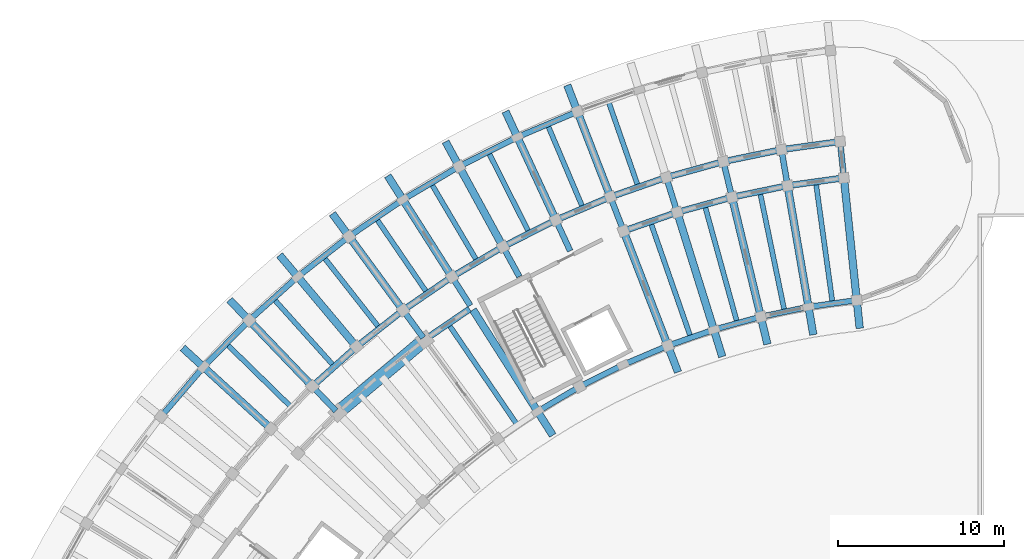
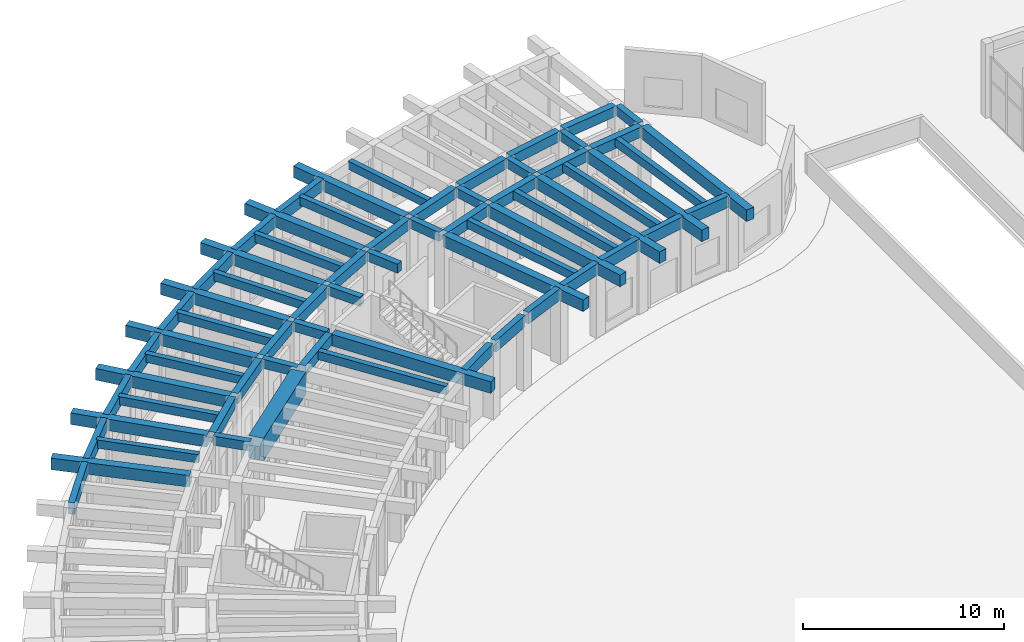
# One storey, part 40 of 132: 68 beams.
"""IFC4 building model written with IfcOpenShell, lengths in metres."""

from ifc_helpers import new_model, si_unit, direction, frame, origin, origin_2d, place, context, subcontext, project, spatial, rectangle, extrude, material, material_profile, profile_set, type_object, element, save


model = new_model("IFC4")

# Units and contexts
model_context = context("Model", 3, precision=1e-05, world=origin(), true_north=direction((0.0, 1.0)))
body_context = subcontext(model_context, "Body", "Model", "MODEL_VIEW")
ifc_project = project(units=[si_unit("LENGTHUNIT", "METRE"), si_unit("AREAUNIT", "SQUARE_METRE"), si_unit("VOLUMEUNIT", "CUBIC_METRE"), si_unit("PLANEANGLEUNIT", "RADIAN"), si_unit("MASSUNIT", "GRAM", prefix="KILO")], contexts=[model_context])

# Site, building, storey
site_placement = place(None, origin())
site = spatial("IfcSite", under=ifc_project, at=site_placement, CompositionType="ELEMENT")
building_placement = place(site_placement, origin())
building = spatial("IfcBuilding", under=site, at=building_placement, Name="Tanwirah Colonnade Gardens", CompositionType="ELEMENT")
storey_placement = place(building_placement, origin())
storey = spatial("IfcBuildingStorey", under=building, at=storey_placement, Name="L00", CompositionType="ELEMENT", Elevation=0.0)

# Beams
ifc_material_1 = material(Name="Precast concrete C40/50", Category="concrete")
ifc_material_profile_1 = material_profile(ifc_material_1, rectangle(XDim=0.35009765625, YDim=0.550048828125, at=origin_2d()), Name="PC-BM 350x550")
ifc_profile_set_1 = profile_set([ifc_material_profile_1], Name="Precast concrete C40/50")
beam_type_1 = type_object("IfcBeamType", Name="BM-PC350A", PredefinedType="BEAM", material=ifc_profile_set_1)
for number, where, z_axis, x_axis, name in (
    (1, (59.564453125, 111.9150390625, 4.2099609375), (-0.104464057197, 0.994528662611, 0.0), (-0.994528662611, -0.104464057197, 0.0), "Block A L00 Corridor Tie Beam 0"),
    (2, (56.1689453125, 111.444580078125, 4.2099609375), (-0.169855285462, 0.985469016256, 0.0), (-0.985469016256, -0.169855285462, 0.0), "Block A L00 Corridor Tie Beam 1"),
    (3, (52.811767578125, 110.75146484375, 4.2099609375), (-0.234364199778, 0.972148868159, 0.0), (-0.972148868159, -0.234364199778, 0.0), "Block A L00 Corridor Tie Beam 2"),
):
    element("IfcBeam", number, at=place(storey_placement, frame(where, z_axis=z_axis, x_axis=x_axis)), inside=storey, type_object=beam_type_1, Name=name, PredefinedType="BEAM", context=body_context, shape_type="SweptSolid", body=[
        extrude(rectangle(XDim=0.35009765625, YDim=0.550048828125, at=origin_2d()), origin(), (0.0, 0.0, 1.0), 1.900146484375),
    ])
for number, where, z_axis, x_axis, name in (
    (4, (49.507568359375, 109.838623046875, 4.2099609375), (-0.297857918398, 0.954610213882, 0.0), (-0.954610213882, -0.297857918398, 0.0), "Block A L00 Corridor Tie Beam 3"),
    (5, (46.270751953125, 108.7099609375, 4.2099609375), (-0.360175656082, 0.932884503444, 0.0), (-0.932884503444, -0.360175656082, 0.0), "Block A L00 Corridor Tie Beam 4"),
    (6, (43.115234375, 107.37060546875, 4.2099609375), (-0.420858322681, 0.90712638162, 0.0), (-0.90712638162, -0.420858322681, 0.0), "Block A L00 Corridor Tie Beam 5"),
    (7, (40.054931640625, 105.826171875, 4.2099609375), (-0.479707235792, 0.877428611301, 0.0), (-0.877428611301, -0.479707235792, 0.0), "Block A L00 Corridor Tie Beam 6"),
    (8, (37.10302734375, 104.08349609375, 4.2099609375), (-0.536509579595, 0.843894229749, 0.0), (-0.843894229749, -0.536509579595, 0.0), "Block A L00 Corridor Tie Beam 7"),
):
    element("IfcBeam", number, at=place(storey_placement, frame(where, z_axis=z_axis, x_axis=x_axis)), inside=storey, type_object=beam_type_1, Name=name, PredefinedType="BEAM", context=body_context, shape_type="SweptSolid", body=[
        extrude(rectangle(XDim=0.35009765625, YDim=0.550048828125, at=origin_2d()), origin(), (0.0, 0.0, 1.0), 1.89990234375),
    ])
for number, where, z_axis, x_axis, name in (
    (9, (34.272216796875, 102.14990234375, 4.2099609375), (-0.590895676149, 0.806747977939, 0.0), (-0.806747977939, -0.590895676149, 0.0), "Block A L00 Corridor Tie Beam 8"),
    (10, (29.023193359375, 97.74560546875, 4.2099609375), (-0.691913735329, 0.721980181766, 0.0), (-0.721980181766, -0.691913735329, 0.0), "Block A L00 Corridor Tie Beam 10"),
):
    element("IfcBeam", number, at=place(storey_placement, frame(where, z_axis=z_axis, x_axis=x_axis)), inside=storey, type_object=beam_type_1, Name=name, PredefinedType="BEAM", context=body_context, shape_type="SweptSolid", body=[
        extrude(rectangle(XDim=0.35009765625, YDim=0.550048828125, at=origin_2d()), origin(), (0.0, 0.0, 1.0), 1.900146484375),
    ])
ifc_material_profile_2 = material_profile(ifc_material_1, rectangle(XDim=0.3798828125, YDim=0.6201171875, at=origin_2d()), Name="PC-BM 380x620")
ifc_profile_set_2 = profile_set([ifc_material_profile_2], Name="Precast concrete C40/50")
beam_type_2 = type_object("IfcBeamType", Name="BM-PC380", PredefinedType="BEAM", material=ifc_profile_set_2)
beam_1_placement = place(storey_placement, frame((59.431640625, 111.745361328125, 4.175048828125), z_axis=(-0.990535787723, -0.137254702069, 0.0), x_axis=(0.137254702069, -0.990535787723, 0.0)))
element("IfcBeam", 11, at=beam_1_placement, inside=storey, type_object=beam_type_2, Name="Block A L00 Circumferential Beam 0-R1", PredefinedType="BEAM", context=body_context, shape_type="SweptSolid", body=[
    extrude(rectangle(XDim=0.3798828125, YDim=0.6201171875, at=origin_2d()), origin(), (0.0, 0.0, 1.0), 3.1181640625),
])
beam_2_placement = place(storey_placement, frame((59.20166015625, 113.933349609375, 4.175048828125), z_axis=(-0.990530465749, -0.13729310406, 0.0), x_axis=(0.13729310406, -0.990530465749, 0.0)))
element("IfcBeam", 12, at=beam_2_placement, inside=storey, type_object=beam_type_2, Name="Block A L00 Circumferential Beam 0-R2", PredefinedType="BEAM", context=body_context, shape_type="SweptSolid", body=[
    extrude(rectangle(XDim=0.3798828125, YDim=0.6201171875, at=origin_2d()), origin(), (0.0, 0.0, 1.0), 3.26318359375),
])
beam_3_placement = place(storey_placement, frame((56.047607421875, 111.2666015625, 4.175048828125), z_axis=(-0.979335880607, -0.202240532428, 0.0), x_axis=(0.202240532428, -0.979335880607, 0.0)))
element("IfcBeam", 13, at=beam_3_placement, inside=storey, type_object=beam_type_2, Name="Block A L00 Circumferential Beam 1-R1", PredefinedType="BEAM", context=body_context, shape_type="SweptSolid", body=[
    extrude(rectangle(XDim=0.3798828125, YDim=0.6201171875, at=origin_2d()), origin(), (0.0, 0.0, 1.0), 3.1181640625),
])
beam_4_placement = place(storey_placement, frame((55.673828125, 113.4345703125, 4.175048828125), z_axis=(-0.979335599813, -0.202241892146, 0.0), x_axis=(0.202241892146, -0.979335599813, 0.0)))
element("IfcBeam", 14, at=beam_4_placement, inside=storey, type_object=beam_type_2, Name="Block A L00 Circumferential Beam 1-R2", PredefinedType="BEAM", context=body_context, shape_type="SweptSolid", body=[
    extrude(rectangle(XDim=0.3798828125, YDim=0.6201171875, at=origin_2d()), origin(), (0.0, 0.0, 1.0), 3.262939453125),
])
beam_5_placement = place(storey_placement, frame((52.702392578125, 110.565673828125, 4.175048828125), z_axis=(-0.963894965188, -0.266282737114, 0.0), x_axis=(0.266282737114, -0.963894965188, 0.0)))
element("IfcBeam", 15, at=beam_5_placement, inside=storey, type_object=beam_type_2, Name="Block A L00 Circumferential Beam 2-R1", PredefinedType="BEAM", context=body_context, shape_type="SweptSolid", body=[
    extrude(rectangle(XDim=0.3798828125, YDim=0.6201171875, at=origin_2d()), origin(), (0.0, 0.0, 1.0), 3.1181640625),
])
beam_6_placement = place(storey_placement, frame((52.186767578125, 112.704345703125, 4.175048828125), z_axis=(-0.9638953302, -0.266281415833, 0.0), x_axis=(0.266281415833, -0.9638953302, 0.0)))
element("IfcBeam", 16, at=beam_6_placement, inside=storey, type_object=beam_type_2, Name="Block A L00 Circumferential Beam 2-R2", PredefinedType="BEAM", context=body_context, shape_type="SweptSolid", body=[
    extrude(rectangle(XDim=0.3798828125, YDim=0.6201171875, at=origin_2d()), origin(), (0.0, 0.0, 1.0), 3.26318359375),
])
beam_7_placement = place(storey_placement, frame((49.41064453125, 109.64599609375, 4.175048828125), z_axis=(-0.944248304077, -0.329234172358, 0.0), x_axis=(0.329234172358, -0.944248304077, 0.0)))
element("IfcBeam", 17, at=beam_7_placement, inside=storey, type_object=beam_type_2, Name="Block A L00 Circumferential Beam 3-R1", PredefinedType="BEAM", context=body_context, shape_type="SweptSolid", body=[
    extrude(rectangle(XDim=0.3798828125, YDim=0.6201171875, at=origin_2d()), origin(), (0.0, 0.0, 1.0), 3.1181640625),
])
for number, where, z_axis, x_axis, name in (
    (18, (48.755126953125, 111.74609375, 4.175048828125), (-0.944231021702, -0.329283734272, 0.0), (0.329283734272, -0.944231021702, 0.0), "Block A L00 Circumferential Beam 3-R2"),
    (19, (45.394287109375, 110.563720703125, 4.175048828125), (-0.920513294115, -0.390711242938, 0.0), (0.390711242938, -0.920513294115, 0.0), "Block A L00 Circumferential Beam 4-R2"),
):
    element("IfcBeam", number, at=place(storey_placement, frame(where, z_axis=z_axis, x_axis=x_axis)), inside=storey, type_object=beam_type_2, Name=name, PredefinedType="BEAM", context=body_context, shape_type="SweptSolid", body=[
        extrude(rectangle(XDim=0.3798828125, YDim=0.6201171875, at=origin_2d()), origin(), (0.0, 0.0, 1.0), 3.262939453125),
    ])
for number, where, z_axis, x_axis, name in (
    (20, (42.11865234375, 109.16259765625, 4.175048828125), (-0.89276014323, -0.450532270387, 0.0), (0.450532270387, -0.89276014323, 0.0), "Block A L00 Circumferential Beam 5-R2"),
    (21, (38.9423828125, 107.548583984375, 4.175048828125), (-0.861134978964, -0.508376384193, 0.0), (0.508376384193, -0.861134978964, 0.0), "Block A L00 Circumferential Beam 6-R2"),
):
    element("IfcBeam", number, at=place(storey_placement, frame(where, z_axis=z_axis, x_axis=x_axis)), inside=storey, type_object=beam_type_2, Name=name, PredefinedType="BEAM", context=body_context, shape_type="SweptSolid", body=[
        extrude(rectangle(XDim=0.3798828125, YDim=0.6201171875, at=origin_2d()), origin(), (0.0, 0.0, 1.0), 3.26318359375),
    ])
beam_8_placement = place(storey_placement, frame((37.0595703125, 103.872314453125, 4.175048828125), z_axis=(-0.825758291455, -0.564024152047, 0.0), x_axis=(0.564024152047, -0.825758291455, 0.0)))
element("IfcBeam", 22, at=beam_8_placement, inside=storey, type_object=beam_type_2, Name="Block A L00 Circumferential Beam 7-R1", PredefinedType="BEAM", context=body_context, shape_type="SweptSolid", body=[
    extrude(rectangle(XDim=0.3798828125, YDim=0.6201171875, at=origin_2d()), origin(), (0.0, 0.0, 1.0), 3.118408203125),
])
for number, where, z_axis, x_axis, name in (
    (23, (35.87939453125, 105.728759765625, 4.175048828125), (-0.825782284145, -0.563989024, 0.0), (0.563989024, -0.825782284145, 0.0), "Block A L00 Circumferential Beam 7-R2"),
    (24, (32.94287109375, 103.711181640625, 4.175048828125), (-0.786839882256, -0.617157192044, 0.0), (0.617157192044, -0.786839882256, 0.0), "Block A L00 Circumferential Beam 8-R2"),
    (25, (30.145751953125, 101.504638671875, 4.175048828125), (-0.744409136578, -0.667723773262, 0.0), (0.667723773262, -0.744409136578, 0.0), "Block A L00 Circumferential Beam 9-R2"),
):
    element("IfcBeam", number, at=place(storey_placement, frame(where, z_axis=z_axis, x_axis=x_axis)), inside=storey, type_object=beam_type_2, Name=name, PredefinedType="BEAM", context=body_context, shape_type="SweptSolid", body=[
        extrude(rectangle(XDim=0.3798828125, YDim=0.6201171875, at=origin_2d()), origin(), (0.0, 0.0, 1.0), 3.26318359375),
    ])
ifc_material_2 = material(Name="Precast concrete C45/55", Category="concrete")
ifc_material_profile_3 = material_profile(ifc_material_2, rectangle(XDim=0.449951171875, YDim=0.699951171875, at=origin_2d()), Name="PC-BM 450x700")
ifc_profile_set_3 = profile_set([ifc_material_profile_3], Name="Precast concrete C45/55")
beam_type_3 = type_object("IfcBeamType", Name="BM-PC450", PredefinedType="BEAM", material=ifc_profile_set_3)
for number, where, z_axis, x_axis, name in (
    (26, (59.595947265625, 111.61669921875, 4.135009765625), (0.104531425475, -0.994521584023, 0.0), (0.994521584023, 0.104531425475, 0.0), "Block A L00 Inner Radial Precast Girder 0"),
    (27, (56.219970703125, 111.14892578125, 4.135009765625), (0.169837490725, -0.985472083189, 0.0), (0.985472083189, 0.169837490725, 0.0), "Block A L00 Inner Radial Precast Girder 1"),
    (28, (52.882080078125, 110.459716796875, 4.135009765625), (0.234401428133, -0.972139892448, 0.0), (0.972139892448, 0.234401428133, 0.0), "Block A L00 Inner Radial Precast Girder 2"),
):
    element("IfcBeam", number, at=place(storey_placement, frame(where, z_axis=z_axis, x_axis=x_axis)), inside=storey, type_object=beam_type_3, Name=name, PredefinedType="BEAM", context=body_context, shape_type="SweptSolid", body=[
        extrude(rectangle(XDim=0.449951171875, YDim=0.699951171875, at=origin_2d()), origin(), (0.0, 0.0, 1.0), 8.949951171875),
    ])
beam_9_placement = place(storey_placement, frame((49.596923828125, 109.55224609375, 4.135009765625), z_axis=(0.29792861283, -0.9545881529, 0.0), x_axis=(0.9545881529, 0.29792861283, 0.0)))
element("IfcBeam", 29, at=beam_9_placement, inside=storey, type_object=beam_type_3, Name="Block A L00 Inner Radial Precast Girder 3", PredefinedType="BEAM", context=body_context, shape_type="SweptSolid", body=[
    extrude(rectangle(XDim=0.449951171875, YDim=0.699951171875, at=origin_2d()), origin(), (0.0, 0.0, 1.0), 8.9501953125),
])
beam_10_placement = place(storey_placement, frame((46.37890625, 108.43017578125, 4.135009765625), z_axis=(0.360155980892, -0.932892099563, 0.0), x_axis=(0.932892099563, 0.360155980892, 0.0)))
element("IfcBeam", 30, at=beam_10_placement, inside=storey, type_object=beam_type_3, Name="Block A L00 Inner Radial Precast Girder 4", PredefinedType="BEAM", context=body_context, shape_type="SweptSolid", body=[
    extrude(rectangle(XDim=0.449951171875, YDim=0.699951171875, at=origin_2d()), origin(), (0.0, 0.0, 1.0), 8.949951171875),
])
for number, where, z_axis, x_axis, name in (
    (31, (45.478271484375, 110.76220703125, 4.135009765625), (-0.360150678391, 0.932894146651, 0.0), (-0.932894146651, -0.360150678391, 0.0), "Block A L00 Outer Radial Precast Girder 4"),
    (32, (42.189453125, 109.3662109375, 4.135009765625), (-0.420855908645, 0.9071275016, 0.0), (-0.9071275016, -0.420855908645, 0.0), "Block A L00 Outer Radial Precast Girder 5"),
    (33, (38.99951171875, 107.75634765625, 4.135009765625), (-0.479686549155, 0.877439920769, 0.0), (-0.877439920769, -0.479686549155, 0.0), "Block A L00 Outer Radial Precast Girder 6"),
):
    element("IfcBeam", number, at=place(storey_placement, frame(where, z_axis=z_axis, x_axis=x_axis)), inside=storey, type_object=beam_type_3, Name=name, PredefinedType="BEAM", context=body_context, shape_type="SweptSolid", body=[
        extrude(rectangle(XDim=0.449951171875, YDim=0.699951171875, at=origin_2d()), origin(), (0.0, 0.0, 1.0), 7.050048828125),
    ])
beam_11_placement = place(storey_placement, frame((37.263916015625, 103.830322265625, 4.135009765625), z_axis=(0.536483588607, -0.843910753075, 0.0), x_axis=(0.843910753075, 0.536483588607, 0.0)))
element("IfcBeam", 34, at=beam_11_placement, inside=storey, type_object=beam_type_3, Name="Block A L00 Inner Radial Precast Girder 7", PredefinedType="BEAM", context=body_context, shape_type="SweptSolid", body=[
    extrude(rectangle(XDim=0.449951171875, YDim=0.699951171875, at=origin_2d()), origin(), (0.0, 0.0, 1.0), 8.949951171875),
])
for number, where, z_axis, x_axis, name in (
    (35, (35.922607421875, 105.93994140625, 4.135009765625), (-0.536476584537, 0.8439152056, 0.0), (-0.8439152056, -0.536476584537, 0.0), "Block A L00 Outer Radial Precast Girder 7"),
    (36, (32.97216796875, 103.9248046875, 4.135009765625), (-0.590919194225, 0.806730751798, 0.0), (-0.806730751798, -0.590919194225, 0.0), "Block A L00 Outer Radial Precast Girder 8"),
):
    element("IfcBeam", number, at=place(storey_placement, frame(where, z_axis=z_axis, x_axis=x_axis)), inside=storey, type_object=beam_type_3, Name=name, PredefinedType="BEAM", context=body_context, shape_type="SweptSolid", body=[
        extrude(rectangle(XDim=0.449951171875, YDim=0.699951171875, at=origin_2d()), origin(), (0.0, 0.0, 1.0), 7.050048828125),
    ])
beam_12_placement = place(storey_placement, frame((30.160888671875, 101.7197265625, 4.135009765625), z_axis=(-0.642810291951, 0.766025409867, 0.0), x_axis=(-0.766025409867, -0.642810291951, 0.0)))
element("IfcBeam", 37, at=beam_12_placement, inside=storey, type_object=beam_type_3, Name="Block A L00 Outer Radial Precast Girder 9", PredefinedType="BEAM", context=body_context, shape_type="SweptSolid", body=[
    extrude(rectangle(XDim=0.449951171875, YDim=0.699951171875, at=origin_2d()), origin(), (0.0, 0.0, 1.0), 7.0498046875),
])
for number, where, z_axis, x_axis, name in (
    (38, (27.5009765625, 99.333984375, 4.135009765625), (-0.691864746793, 0.722027127015, 0.0), (-0.722027127015, -0.691864746793, 0.0), "Block A L00 Outer Radial Precast Girder 10"),
    (39, (25.004150390625, 96.7783203125, 4.135009765625), (-0.737934199263, 0.674872667663, 0.0), (-0.674872667663, -0.737934199263, 0.0), "Block A L00 Outer Radial Precast Girder 11"),
):
    element("IfcBeam", number, at=place(storey_placement, frame(where, z_axis=z_axis, x_axis=x_axis)), inside=storey, type_object=beam_type_3, Name=name, PredefinedType="BEAM", context=body_context, shape_type="SweptSolid", body=[
        extrude(rectangle(XDim=0.449951171875, YDim=0.699951171875, at=origin_2d()), origin(), (0.0, 0.0, 1.0), 7.050048828125),
    ])
ifc_material_profile_4 = material_profile(ifc_material_1, rectangle(XDim=0.300048828125, YDim=0.5, at=origin_2d()), Name="PC-JST 300x500")
ifc_profile_set_4 = profile_set([ifc_material_profile_4], Name="Precast concrete C40/50")
beam_type_4 = type_object("IfcBeamType", Name="JST-PC300", PredefinedType="JOIST", material=ifc_profile_set_4)
for number, where, z_axis, x_axis, name in (
    (40, (58.882568359375, 104.34814453125, 4.235107421875), (-0.137243132462, 0.99053739081, 0.0), (-0.99053739081, -0.137243132462, 0.0), "Block A L00 Inner Precast Floor Joist 0"),
    (41, (55.987060546875, 103.84912109375, 4.235107421875), (-0.202197428816, 0.979344780851, 0.0), (-0.979344780851, -0.202197428816, 0.0), "Block A L00 Inner Precast Floor Joist 1"),
):
    element("IfcBeam", number, at=place(storey_placement, frame(where, z_axis=z_axis, x_axis=x_axis)), inside=storey, type_object=beam_type_4, Name=name, PredefinedType="JOIST", context=body_context, shape_type="SweptSolid", body=[
        extrude(rectangle(XDim=0.300048828125, YDim=0.5, at=origin_2d()), origin(), (0.0, 0.0, 1.0), 7.16015625),
    ])
beam_13_placement = place(storey_placement, frame((53.130859375, 103.16064453125, 4.235107421875), z_axis=(-0.266307034535, 0.963888252526, 0.0), x_axis=(-0.963888252526, -0.266307034535, 0.0)))
element("IfcBeam", 42, at=beam_13_placement, inside=storey, type_object=beam_type_4, Name="Block A L00 Inner Precast Floor Joist 2", PredefinedType="JOIST", context=body_context, shape_type="SweptSolid", body=[
    extrude(rectangle(XDim=0.300048828125, YDim=0.5, at=origin_2d()), origin(), (0.0, 0.0, 1.0), 7.159912109375),
])
beam_14_placement = place(storey_placement, frame((47.16552734375, 111.349853515625, 4.235107421875), z_axis=(-0.3292586038, 0.944239785131, 0.0), x_axis=(-0.944239785131, -0.3292586038, 0.0)))
element("IfcBeam", 43, at=beam_14_placement, inside=storey, type_object=beam_type_4, Name="Block A L00 Precast Floor Joist 3", PredefinedType="JOIST", context=body_context, shape_type="SweptSolid", body=[
    extrude(rectangle(XDim=0.300048828125, YDim=0.5, at=origin_2d()), origin(), (0.0, 0.0, 1.0), 5.260009765625),
])
beam_15_placement = place(storey_placement, frame((50.326171875, 102.28515625, 4.235107421875), z_axis=(-0.329250558112, 0.944242590642, 0.0), x_axis=(-0.944242590642, -0.329250558112, 0.0)))
element("IfcBeam", 44, at=beam_15_placement, inside=storey, type_object=beam_type_4, Name="Block A L00 Inner Precast Floor Joist 3", PredefinedType="JOIST", context=body_context, shape_type="SweptSolid", body=[
    extrude(rectangle(XDim=0.300048828125, YDim=0.5, at=origin_2d()), origin(), (0.0, 0.0, 1.0), 7.159912109375),
])
beam_16_placement = place(storey_placement, frame((43.833984375, 110.063720703125, 4.235107421875), z_axis=(-0.390723870106, 0.92050793442, 0.0), x_axis=(-0.92050793442, -0.390723870106, 0.0)))
element("IfcBeam", 45, at=beam_16_placement, inside=storey, type_object=beam_type_4, Name="Block A L00 Precast Floor Joist 4", PredefinedType="JOIST", context=body_context, shape_type="SweptSolid", body=[
    extrude(rectangle(XDim=0.300048828125, YDim=0.5, at=origin_2d()), origin(), (0.0, 0.0, 1.0), 5.260009765625),
])
for number, where, z_axis, x_axis, name in (
    (46, (40.5947265625, 108.560791015625, 4.235107421875), (-0.450533699488, 0.892759422031, 0.0), (-0.892759422031, -0.450533699488, 0.0), "Block A L00 Precast Floor Joist 5"),
    (47, (37.46142578125, 106.84765625, 4.235107421875), (-0.508360236823, 0.86114451146, 0.0), (-0.86114451146, -0.508360236823, 0.0), "Block A L00 Precast Floor Joist 6"),
):
    element("IfcBeam", number, at=place(storey_placement, frame(where, z_axis=z_axis, x_axis=x_axis)), inside=storey, type_object=beam_type_4, Name=name, PredefinedType="JOIST", context=body_context, shape_type="SweptSolid", body=[
        extrude(rectangle(XDim=0.300048828125, YDim=0.5, at=origin_2d()), origin(), (0.0, 0.0, 1.0), 5.26025390625),
    ])
beam_17_placement = place(storey_placement, frame((34.44775390625, 104.931884765625, 4.235107421875), z_axis=(-0.563973225998, 0.825793073571, 0.0), x_axis=(-0.825793073571, -0.563973225998, 0.0)))
element("IfcBeam", 48, at=beam_17_placement, inside=storey, type_object=beam_type_4, Name="Block A L00 Precast Floor Joist 7", PredefinedType="JOIST", context=body_context, shape_type="SweptSolid", body=[
    extrude(rectangle(XDim=0.300048828125, YDim=0.5, at=origin_2d()), origin(), (0.0, 0.0, 1.0), 5.260009765625),
])
beam_18_placement = place(storey_placement, frame((39.8623046875, 97.004638671875, 4.235107421875), z_axis=(-0.564021195806, 0.825760310672, 0.0), x_axis=(-0.825760310672, -0.564021195806, 0.0)))
element("IfcBeam", 49, at=beam_18_placement, inside=storey, type_object=beam_type_4, Name="Block A L00 Inner Precast Floor Joist 7", PredefinedType="JOIST", context=body_context, shape_type="SweptSolid", body=[
    extrude(rectangle(XDim=0.300048828125, YDim=0.5, at=origin_2d()), origin(), (0.0, 0.0, 1.0), 7.159912109375),
])
for number, where, z_axis, x_axis, name in (
    (50, (31.56689453125, 102.82177734375, 4.235107421875), (-0.617177687243, 0.786823806433, 0.0), (-0.786823806433, -0.617177687243, 0.0), "Block A L00 Precast Floor Joist 8"),
    (51, (28.831298828125, 100.5263671875, 4.235107421875), (-0.667678987176, 0.744449306591, 0.0), (-0.744449306591, -0.667678987176, 0.0), "Block A L00 Precast Floor Joist 9"),
    (52, (26.2529296875, 98.0556640625, 4.235107421875), (-0.715297399369, 0.698820170327, 0.0), (-0.698820170327, -0.715297399369, 0.0), "Block A L00 Precast Floor Joist 10"),
):
    element("IfcBeam", number, at=place(storey_placement, frame(where, z_axis=z_axis, x_axis=x_axis)), inside=storey, type_object=beam_type_4, Name=name, PredefinedType="JOIST", context=body_context, shape_type="SweptSolid", body=[
        extrude(rectangle(XDim=0.300048828125, YDim=0.5, at=origin_2d()), origin(), (0.0, 0.0, 1.0), 5.260009765625),
    ])
ifc_material_profile_5 = material_profile(ifc_material_2, rectangle(XDim=0.340087890625, YDim=0.699951171875, at=origin_2d()), Name="PC-SP 340x700")
ifc_profile_set_5 = profile_set([ifc_material_profile_5], Name="Precast concrete C45/55")
beam_type_5 = type_object("IfcBeamType", Name="SP-PC340", PredefinedType="SPANDREL", material=ifc_profile_set_5)
for number, where, z_axis, x_axis, name in (
    (53, (60.205078125, 104.385986328125, 4.135009765625), (-0.990531232354, -0.13728757311, 0.0), (0.13728757311, -0.990531232354, 0.0), "Block A L00 Circumferential Beam 0-R0"),
    (54, (57.30419921875, 103.973876953125, 4.135009765625), (-0.979351764611, -0.202163599974, 0.0), (0.202163599974, -0.979351764611, 0.0), "Block A L00 Circumferential Beam 1-R0"),
    (55, (54.436767578125, 103.371826171875, 4.135009765625), (-0.96388669146, -0.266312684688, 0.0), (0.266312684688, -0.96388669146, 0.0), "Block A L00 Circumferential Beam 2-R0"),
):
    element("IfcBeam", number, at=place(storey_placement, frame(where, z_axis=z_axis, x_axis=x_axis)), inside=storey, type_object=beam_type_5, Name=name, PredefinedType="SPANDREL", context=body_context, shape_type="SweptSolid", body=[
        extrude(rectangle(XDim=0.340087890625, YDim=0.699951171875, at=origin_2d()), origin(), (0.0, 0.0, 1.0), 2.630126953125),
    ])
for number, where, z_axis, x_axis, name in (
    (56, (51.615478515625, 102.58203125, 4.135009765625), (-0.944249847334, -0.32922974624, 0.0), (0.32922974624, -0.944249847334, 0.0), "Block A L00 Circumferential Beam 3-R0"),
    (57, (48.85205078125, 101.608154296875, 4.135009765625), (-0.920488719784, -0.390769134848, 0.0), (0.390769134848, -0.920488719784, 0.0), "Block A L00 Circumferential Beam 4-R0"),
):
    element("IfcBeam", number, at=place(storey_placement, frame(where, z_axis=z_axis, x_axis=x_axis)), inside=storey, type_object=beam_type_5, Name=name, PredefinedType="SPANDREL", context=body_context, shape_type="SweptSolid", body=[
        extrude(rectangle(XDim=0.340087890625, YDim=0.699951171875, at=origin_2d()), origin(), (0.0, 0.0, 1.0), 2.63037109375),
    ])
beam_19_placement = place(storey_placement, frame((43.413330078125, 115.694580078125, 4.135009765625), z_axis=(-0.920494456807, -0.390755620545, 0.0), x_axis=(0.390755620545, -0.920494456807, 0.0)))
element("IfcBeam", 58, at=beam_19_placement, inside=storey, type_object=beam_type_5, Name="Block A L00 Circumferential Beam 4-R3", PredefinedType="SPANDREL", context=body_context, shape_type="SweptSolid", body=[
    extrude(rectangle(XDim=0.340087890625, YDim=0.699951171875, at=origin_2d()), origin(), (0.0, 0.0, 1.0), 3.625732421875),
])
beam_20_placement = place(storey_placement, frame((46.158935546875, 100.4541015625, 4.135009765625), z_axis=(-0.892769015158, -0.450514689632, 0.0), x_axis=(0.450514689632, -0.892769015158, 0.0)))
element("IfcBeam", 59, at=beam_20_placement, inside=storey, type_object=beam_type_5, Name="Block A L00 Circumferential Beam 5-R0", PredefinedType="SPANDREL", context=body_context, shape_type="SweptSolid", body=[
    extrude(rectangle(XDim=0.340087890625, YDim=0.699951171875, at=origin_2d()), origin(), (0.0, 0.0, 1.0), 2.63037109375),
])
beam_21_placement = place(storey_placement, frame((39.803955078125, 114.15185546875, 4.135009765625), z_axis=(-0.892764670911, -0.450523298368, 0.0), x_axis=(0.450523298368, -0.892764670911, 0.0)))
element("IfcBeam", 60, at=beam_21_placement, inside=storey, type_object=beam_type_5, Name="Block A L00 Circumferential Beam 5-R3", PredefinedType="SPANDREL", context=body_context, shape_type="SweptSolid", body=[
    extrude(rectangle(XDim=0.340087890625, YDim=0.699951171875, at=origin_2d()), origin(), (0.0, 0.0, 1.0), 3.6259765625),
])
beam_22_placement = place(storey_placement, frame((43.547607421875, 99.125244140625, 4.135009765625), z_axis=(-0.861148181788, -0.508354019363, 0.0), x_axis=(0.508354019363, -0.861148181788, 0.0)))
element("IfcBeam", 61, at=beam_22_placement, inside=storey, type_object=beam_type_5, Name="Block A L00 Circumferential Beam 6-R0", PredefinedType="SPANDREL", context=body_context, shape_type="SweptSolid", body=[
    extrude(rectangle(XDim=0.340087890625, YDim=0.699951171875, at=origin_2d()), origin(), (0.0, 0.0, 1.0), 2.63037109375),
])
for number, where, z_axis, x_axis, name in (
    (62, (36.303955078125, 112.37451171875, 4.135009765625), (-0.861136912545, -0.5083731089, 0.0), (0.5083731089, -0.861136912545, 0.0), "Block A L00 Circumferential Beam 6-R3"),
    (63, (32.9287109375, 110.370361328125, 4.135009765625), (-0.825782625102, -0.563988524776, 0.0), (0.563988524776, -0.825782625102, 0.0), "Block A L00 Circumferential Beam 7-R3"),
):
    element("IfcBeam", number, at=place(storey_placement, frame(where, z_axis=z_axis, x_axis=x_axis)), inside=storey, type_object=beam_type_5, Name=name, PredefinedType="SPANDREL", context=body_context, shape_type="SweptSolid", body=[
        extrude(rectangle(XDim=0.340087890625, YDim=0.699951171875, at=origin_2d()), origin(), (0.0, 0.0, 1.0), 3.625732421875),
    ])
beam_23_placement = place(storey_placement, frame((29.69287109375, 108.148193359375, 4.135009765625), z_axis=(-0.786843799845, -0.617152197311, 0.0), x_axis=(0.617152197311, -0.786843799845, 0.0)))
element("IfcBeam", 64, at=beam_23_placement, inside=storey, type_object=beam_type_5, Name="Block A L00 Circumferential Beam 8-R3", PredefinedType="SPANDREL", context=body_context, shape_type="SweptSolid", body=[
    extrude(rectangle(XDim=0.340087890625, YDim=0.699951171875, at=origin_2d()), origin(), (0.0, 0.0, 1.0), 3.62548828125),
])
beam_24_placement = place(storey_placement, frame((26.6103515625, 105.7177734375, 4.135009765625), z_axis=(-0.744444790955, -0.667684021989, 0.0), x_axis=(0.667684021989, -0.744444790955, 0.0)))
element("IfcBeam", 65, at=beam_24_placement, inside=storey, type_object=beam_type_5, Name="Block A L00 Circumferential Beam 9-R3", PredefinedType="SPANDREL", context=body_context, shape_type="SweptSolid", body=[
    extrude(rectangle(XDim=0.340087890625, YDim=0.699951171875, at=origin_2d()), origin(), (0.0, 0.0, 1.0), 3.625732421875),
])
beam_25_placement = place(storey_placement, frame((23.69482421875, 103.089599609375, 4.135009765625), z_axis=(-0.698844493997, -0.715273635199, 0.0), x_axis=(0.715273635199, -0.698844493997, 0.0)))
element("IfcBeam", 66, at=beam_25_placement, inside=storey, type_object=beam_type_5, Name="Block A L00 Circumferential Beam 10-R3", PredefinedType="SPANDREL", context=body_context, shape_type="SweptSolid", body=[
    extrude(rectangle(XDim=0.340087890625, YDim=0.699951171875, at=origin_2d()), origin(), (0.0, 0.0, 1.0), 3.6259765625),
])
beam_26_placement = place(storey_placement, frame((20.95849609375, 100.27490234375, 4.135009765625), z_axis=(-0.65013123267, -0.75982193987, 0.0), x_axis=(0.75982193987, -0.65013123267, 0.0)))
element("IfcBeam", 67, at=beam_26_placement, inside=storey, type_object=beam_type_5, Name="Block A L00 Circumferential Beam 11-R3", PredefinedType="SPANDREL", context=body_context, shape_type="SweptSolid", body=[
    extrude(rectangle(XDim=0.340087890625, YDim=0.699951171875, at=origin_2d()), origin(), (0.0, 0.0, 1.0), 3.625732421875),
])
ifc_material_3 = material(Name="Concrete C50/60", Category="concrete")
ifc_material_profile_6 = material_profile(ifc_material_3, rectangle(XDim=0.800048828125, YDim=1.35009765625, at=origin_2d()), Name="RC-TG 800x1350")
ifc_profile_set_6 = profile_set([ifc_material_profile_6], Name="Concrete C50/60")
beam_type_6 = type_object("IfcBeamType", Name="TG-RC800", PredefinedType="BEAM", material=ifc_profile_set_6)
beam_27_placement = place(storey_placement, frame((34.0927734375, 101.803955078125, 3.81005859375), z_axis=(-0.766043563, -0.64278865857, 0.0), x_axis=(0.64278865857, -0.766043563, 0.0)))
element("IfcBeam", 68, at=beam_27_placement, inside=storey, type_object=beam_type_6, Name="Block A L00 Entrance Lobby Transfer Girder", PredefinedType="BEAM", context=body_context, shape_type="SweptSolid", body=[
    extrude(rectangle(XDim=0.800048828125, YDim=1.35009765625, at=origin_2d()), origin(), (0.0, 0.0, 1.0), 6.132568359375),
])

save(model, "model.ifc")
